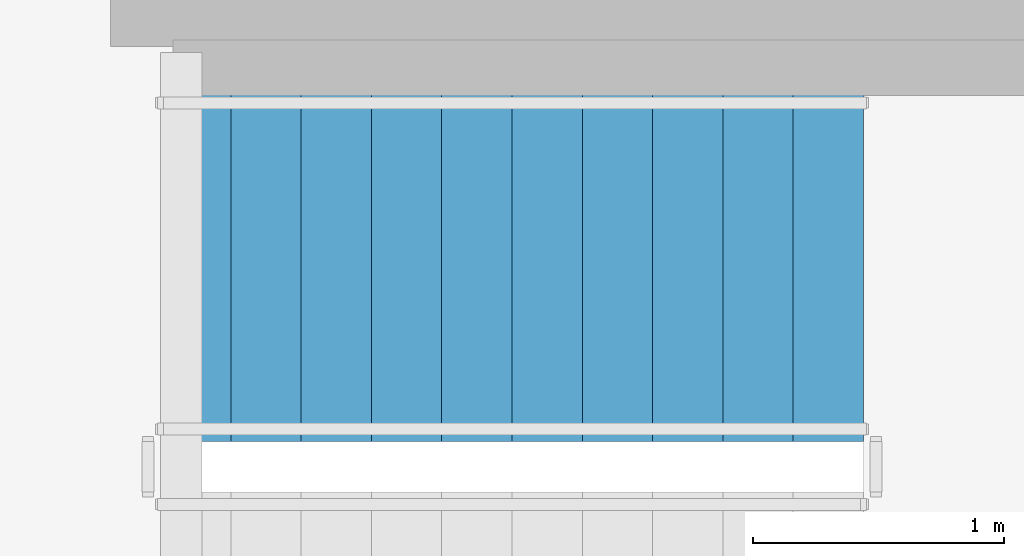
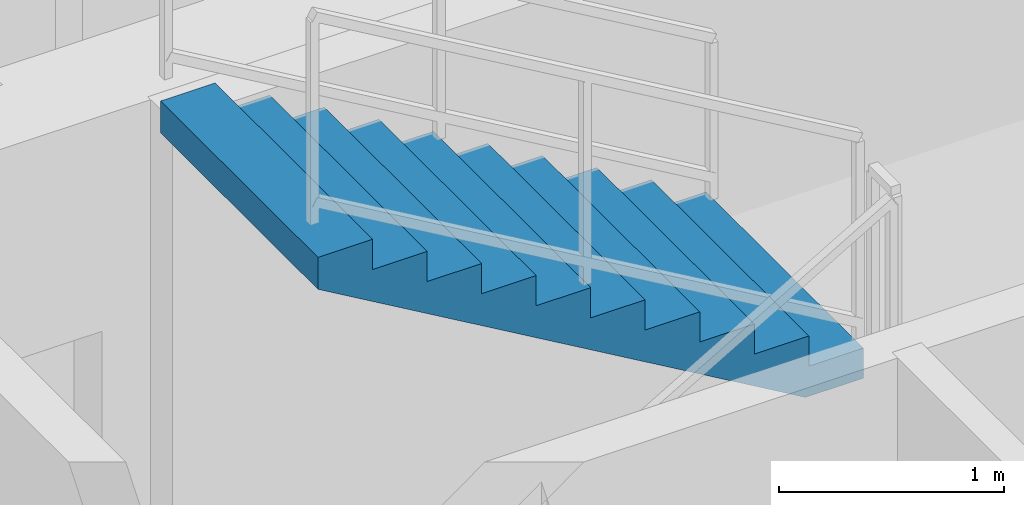
# One storey, part 18 of 20: 1 stair flight, 1 element without a shape of its own.
"""IFC4 building model written with IfcOpenShell, lengths in metres."""

from ifc_helpers import new_model, si_unit, direction, frame, origin, place, context, subcontext, project, spatial, polyline, outline, extrude, material, type_object, element, aggregate, save


model = new_model("IFC4")

# Units and contexts
model_context = context("Model", 3, precision=1e-05, world=origin(), true_north=direction((0.0, 1.0)))
body_context = subcontext(model_context, "Body", "Model", "MODEL_VIEW")
ifc_project = project(units=[si_unit("LENGTHUNIT", "METRE"), si_unit("AREAUNIT", "SQUARE_METRE"), si_unit("VOLUMEUNIT", "CUBIC_METRE"), si_unit("PLANEANGLEUNIT", "RADIAN"), si_unit("MASSUNIT", "GRAM", prefix="KILO")], contexts=[model_context])

# Site, building, storey
site_placement = place(None, origin())
site = spatial("IfcSite", under=ifc_project, at=site_placement, CompositionType="ELEMENT")
building_placement = place(site_placement, origin())
building = spatial("IfcBuilding", under=site, at=building_placement, Name="Qarnah Convention Tower", CompositionType="ELEMENT")
storey_placement = place(building_placement, frame((0.0, 0.0, 202.199951171875)))
storey = spatial("IfcBuildingStorey", under=building, at=storey_placement, Name="L54", CompositionType="ELEMENT", Elevation=202.199951171875)

# Stair, stair flight
ifc_material = material(Name="Concrete C50/60", Category="concrete")
stair_type = type_object("IfcStairType", Name="STR-OFF", PredefinedType="HALF_TURN_STAIR", material=ifc_material)
stair_placement = place(storey_placement, origin())
stair = element("IfcStair", 1, at=stair_placement, inside=storey, type_object=stair_type, Name="L54 Core exit stair ST-3", PredefinedType="HALF_TURN_STAIR")
stair_flight_type = type_object("IfcStairFlightType", Name="FLT-OFF", PredefinedType="STRAIGHT", material=ifc_material)
stair_flight_placement = place(storey_placement, frame((40.300048828125, 33.050048828125, 1.800048828125), z_axis=(0.0, 0.0, 1.0), x_axis=(-1.0, 0.0, 0.0)))
stair_flight = element("IfcStairFlight", 2, at=stair_flight_placement, type_object=stair_flight_type, Name="ST-3 flight 2", NumberOfRisers=11, NumberOfTreads=10, PredefinedType="STRAIGHT", RiserHeight=0.163636364, TreadLength=0.28, context=body_context, shape_type="SweptSolid", body=[
    extrude(outline(polyline([(0.0, 0.0), (0.0, 0.16357421875), (0.280029296875, 0.16357421875), (0.280029296875, 0.327392578125), (0.56005859375, 0.327392578125), (0.56005859375, 0.490966796875), (0.840087890625, 0.490966796875), (0.840087890625, 0.654541015625), (1.1201171875, 0.654541015625), (1.1201171875, 0.818115234375), (1.39990234375, 0.818115234375), (1.39990234375, 0.98193359375), (1.679931640625, 0.98193359375), (1.679931640625, 1.1455078125), (1.9599609375, 1.1455078125), (1.9599609375, 1.30908203125), (2.239990234375, 1.30908203125), (2.239990234375, 1.47265625), (2.52001953125, 1.47265625), (2.52001953125, 1.636474609375), (2.800048828125, 1.636474609375), (2.800048828125, 1.800048828125), (2.800048828125, 1.462646484375), (0.297119140625, 0.0), (0.0, 0.0)])), frame((0.0, 0.699951171875, 0.0), z_axis=(0.0, -1.0, 0.0), x_axis=(1.0, 0.0, 0.0)), (0.0, 0.0, 1.0), 1.39990234375),
])
aggregate(stair, [stair_flight])

save(model, "model.ifc")
